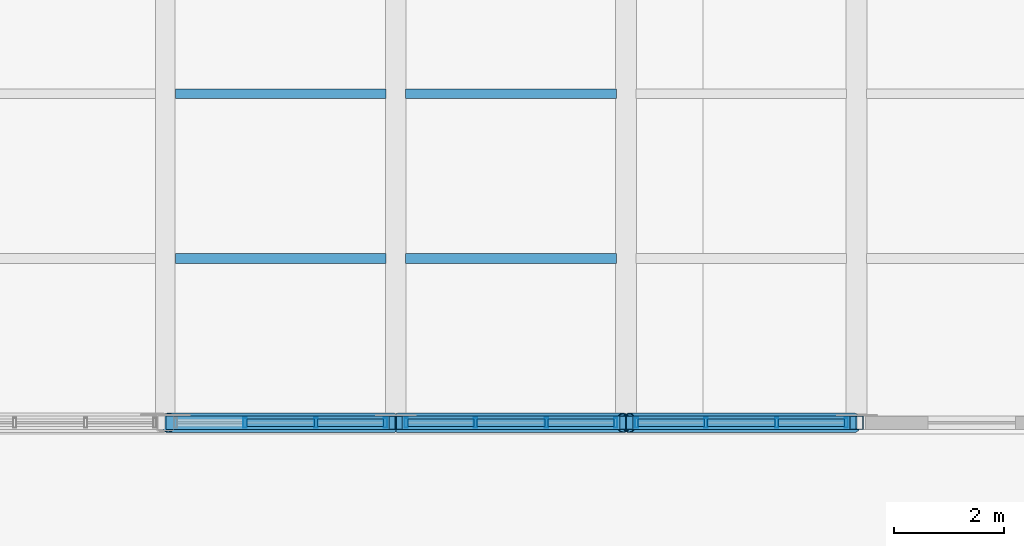
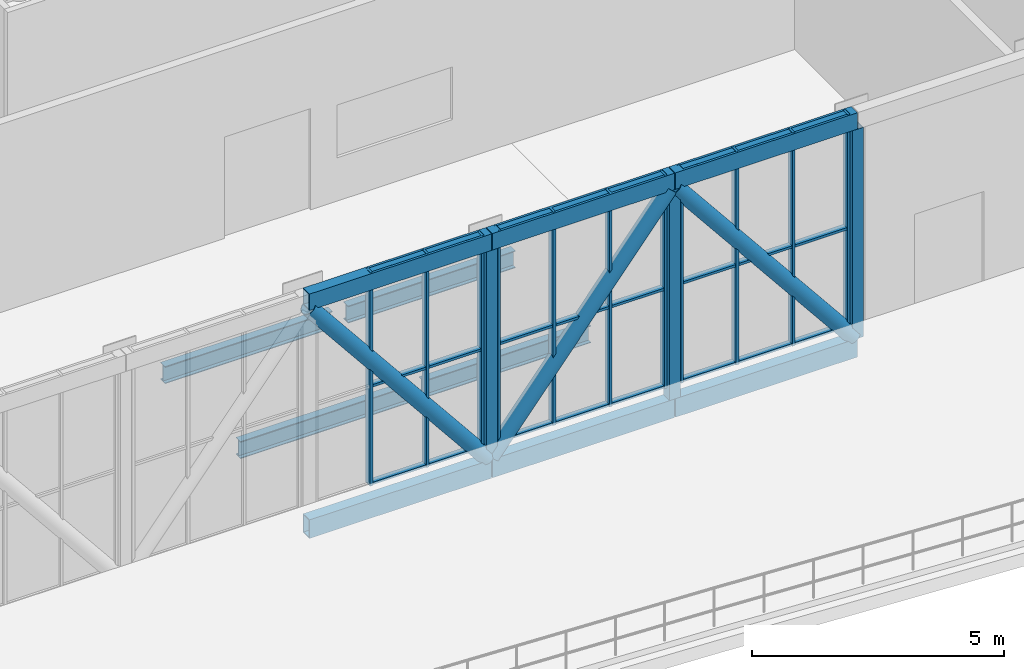
# One storey, part 26 of 58: 47 members, 4 beams, 3 elements without a shape of their own.
"""IFC4 building model written with IfcOpenShell, lengths in metres."""

from ifc_helpers import new_model, si_unit, direction, frame, origin, origin_2d, place, context, subcontext, project, spatial, hollow_rectangle, hollow_circle, i_section, extrude, material, material_profile, profile_set, type_object, element, aggregate, save


model = new_model("IFC4")

# Units and contexts
model_context = context("Model", 3, precision=1e-05, world=origin(), true_north=direction((0.0, 1.0)))
body_context = subcontext(model_context, "Body", "Model", "MODEL_VIEW")
ifc_project = project(units=[si_unit("LENGTHUNIT", "METRE"), si_unit("AREAUNIT", "SQUARE_METRE"), si_unit("VOLUMEUNIT", "CUBIC_METRE"), si_unit("PLANEANGLEUNIT", "RADIAN"), si_unit("MASSUNIT", "GRAM", prefix="KILO")], contexts=[model_context])

# Site, building, storey
site_placement = place(None, origin())
site = spatial("IfcSite", under=ifc_project, at=site_placement, CompositionType="ELEMENT")
building_placement = place(site_placement, origin())
building = spatial("IfcBuilding", under=site, at=building_placement, Name="Khurvash Pelagic Aquarium", CompositionType="ELEMENT")
storey_placement = place(building_placement, frame((0.0, 0.0, 24.60009765625)))
storey = spatial("IfcBuildingStorey", under=building, at=storey_placement, Name="L05", CompositionType="ELEMENT", Elevation=24.60009765625)

# Curtain wall, members
ifc_material_1 = material(Name="Anodised aluminium and low-E laminated glass", Category="aluminium")
curtain_wall_type = type_object("IfcCurtainWallType", Name="CW-01", PredefinedType="USERDEFINED", material=ifc_material_1)
curtain_wall_1_placement = place(storey_placement, origin())
curtain_wall_1 = element("IfcCurtainWall", 1, at=curtain_wall_1_placement, inside=storey, type_object=curtain_wall_type, Name="L05 South Sky-Bar Unitised Curtain Wall CW-01 P16", ObjectType="UNITISED CURTAIN WALL", PredefinedType="USERDEFINED")
ifc_material_2 = material(Name="Extruded aluminium AW-6063-T6", Category="aluminium")
ifc_material_profile_1 = material_profile(ifc_material_2, hollow_rectangle(XDim=0.06005859375, YDim=0.179931640625, WallThickness=0.00390625, at=origin_2d()), Name="CWM60X180X4")
ifc_profile_set_1 = profile_set([ifc_material_profile_1], Name="Extruded aluminium AW-6063-T6")
member_type_1 = type_object("IfcMemberType", Name="CM-01", PredefinedType="MULLION", material=ifc_profile_set_1)
member_1_placement = place(storey_placement, frame((77.05322265625, 11.64990234375, 0.0), z_axis=(0.0, 0.0, 1.0), x_axis=(1.0, 0.0, 0.0)))
member_1 = element("IfcMember", 2, at=member_1_placement, type_object=member_type_1, Name="CW-01 mullion 2", PredefinedType="MULLION", context=body_context, shape_type="SweptSolid", body=[
    extrude(hollow_rectangle(XDim=0.06005859375, YDim=0.179931640625, WallThickness=0.00390625, at=origin_2d()), origin(), (0.0, 0.0, 1.0), 5.179931640625),
])
member_2_placement = place(storey_placement, frame((78.3466796875, 11.64990234375, 0.0), z_axis=(0.0, 0.0, 1.0), x_axis=(1.0, 0.0, 0.0)))
member_2 = element("IfcMember", 3, at=member_2_placement, type_object=member_type_1, Name="CW-01 mullion 3", PredefinedType="MULLION", context=body_context, shape_type="SweptSolid", body=[
    extrude(hollow_rectangle(XDim=0.06005859375, YDim=0.179931640625, WallThickness=0.00390625, at=origin_2d()), origin(), (0.0, 0.0, 1.0), 5.179931640625),
])
member_3_placement = place(storey_placement, frame((79.610107421875, 11.64990234375, 0.0), z_axis=(0.0, 0.0, 1.0), x_axis=(1.0, 0.0, 0.0)))
member_3 = element("IfcMember", 4, at=member_3_placement, type_object=member_type_1, Name="CW-01 mullion 4", PredefinedType="MULLION", context=body_context, shape_type="SweptSolid", body=[
    extrude(hollow_rectangle(XDim=0.06005859375, YDim=0.179931640625, WallThickness=0.00390625, at=origin_2d()), origin(), (0.0, 0.0, 1.0), 5.179931640625),
])

curtain_wall_2_placement = place(storey_placement, origin())
curtain_wall_2 = element("IfcCurtainWall", 5, at=curtain_wall_2_placement, inside=storey, type_object=curtain_wall_type, Name="L05 South Sky-Bar Unitised Curtain Wall CW-01 P17", ObjectType="UNITISED CURTAIN WALL", PredefinedType="USERDEFINED")
member_4_placement = place(storey_placement, frame((79.989990234375, 11.64990234375, 0.0), z_axis=(0.0, 0.0, 1.0), x_axis=(1.0, 0.0, 0.0)))
member_4 = element("IfcMember", 6, at=member_4_placement, type_object=member_type_1, Name="CW-01 mullion 1", PredefinedType="MULLION", context=body_context, shape_type="SweptSolid", body=[
    extrude(hollow_rectangle(XDim=0.06005859375, YDim=0.179931640625, WallThickness=0.00390625, at=origin_2d()), origin(), (0.0, 0.0, 1.0), 5.179931640625),
])
member_5_placement = place(storey_placement, frame((81.25341796875, 11.64990234375, 0.0), z_axis=(0.0, 0.0, 1.0), x_axis=(1.0, 0.0, 0.0)))
member_5 = element("IfcMember", 7, at=member_5_placement, type_object=member_type_1, Name="CW-01 mullion 2", PredefinedType="MULLION", context=body_context, shape_type="SweptSolid", body=[
    extrude(hollow_rectangle(XDim=0.06005859375, YDim=0.179931640625, WallThickness=0.00390625, at=origin_2d()), origin(), (0.0, 0.0, 1.0), 5.179931640625),
])
member_6_placement = place(storey_placement, frame((82.546630859375, 11.64990234375, 0.0), z_axis=(0.0, 0.0, 1.0), x_axis=(1.0, 0.0, 0.0)))
member_6 = element("IfcMember", 8, at=member_6_placement, type_object=member_type_1, Name="CW-01 mullion 3", PredefinedType="MULLION", context=body_context, shape_type="SweptSolid", body=[
    extrude(hollow_rectangle(XDim=0.06005859375, YDim=0.179931640625, WallThickness=0.00390625, at=origin_2d()), origin(), (0.0, 0.0, 1.0), 5.179931640625),
])
member_7_placement = place(storey_placement, frame((83.81005859375, 11.64990234375, 0.0), z_axis=(0.0, 0.0, 1.0), x_axis=(1.0, 0.0, 0.0)))
member_7 = element("IfcMember", 9, at=member_7_placement, type_object=member_type_1, Name="CW-01 mullion 4", PredefinedType="MULLION", context=body_context, shape_type="SweptSolid", body=[
    extrude(hollow_rectangle(XDim=0.06005859375, YDim=0.179931640625, WallThickness=0.00390625, at=origin_2d()), origin(), (0.0, 0.0, 1.0), 5.179931640625),
])

curtain_wall_3_placement = place(storey_placement, origin())
curtain_wall_3 = element("IfcCurtainWall", 10, at=curtain_wall_3_placement, inside=storey, type_object=curtain_wall_type, Name="L05 South Sky-Bar Unitised Curtain Wall CW-01 P18", ObjectType="UNITISED CURTAIN WALL", PredefinedType="USERDEFINED")
member_8_placement = place(storey_placement, frame((84.18994140625, 11.64990234375, 0.0), z_axis=(0.0, 0.0, 1.0), x_axis=(1.0, 0.0, 0.0)))
member_8 = element("IfcMember", 11, at=member_8_placement, type_object=member_type_1, Name="CW-01 mullion 1", PredefinedType="MULLION", context=body_context, shape_type="SweptSolid", body=[
    extrude(hollow_rectangle(XDim=0.06005859375, YDim=0.179931640625, WallThickness=0.00390625, at=origin_2d()), origin(), (0.0, 0.0, 1.0), 5.179931640625),
])
member_9_placement = place(storey_placement, frame((85.453369140625, 11.64990234375, 0.0), z_axis=(0.0, 0.0, 1.0), x_axis=(1.0, 0.0, 0.0)))
member_9 = element("IfcMember", 12, at=member_9_placement, type_object=member_type_1, Name="CW-01 mullion 2", PredefinedType="MULLION", context=body_context, shape_type="SweptSolid", body=[
    extrude(hollow_rectangle(XDim=0.06005859375, YDim=0.179931640625, WallThickness=0.00390625, at=origin_2d()), origin(), (0.0, 0.0, 1.0), 5.179931640625),
])
member_10_placement = place(storey_placement, frame((86.74658203125, 11.64990234375, 0.0), z_axis=(0.0, 0.0, 1.0), x_axis=(1.0, 0.0, 0.0)))
member_10 = element("IfcMember", 13, at=member_10_placement, type_object=member_type_1, Name="CW-01 mullion 3", PredefinedType="MULLION", context=body_context, shape_type="SweptSolid", body=[
    extrude(hollow_rectangle(XDim=0.06005859375, YDim=0.179931640625, WallThickness=0.00390625, at=origin_2d()), origin(), (0.0, 0.0, 1.0), 5.179931640625),
])
member_11_placement = place(storey_placement, frame((88.010009765625, 11.64990234375, 0.0), z_axis=(0.0, 0.0, 1.0), x_axis=(1.0, 0.0, 0.0)))
member_11 = element("IfcMember", 14, at=member_11_placement, type_object=member_type_1, Name="CW-01 mullion 4", PredefinedType="MULLION", context=body_context, shape_type="SweptSolid", body=[
    extrude(hollow_rectangle(XDim=0.06005859375, YDim=0.179931640625, WallThickness=0.00390625, at=origin_2d()), origin(), (0.0, 0.0, 1.0), 5.179931640625),
])

# Member
ifc_material_profile_2 = material_profile(ifc_material_2, hollow_rectangle(XDim=0.139892578125, YDim=0.06005859375, WallThickness=0.00390625, at=origin_2d()), Name="CWT140X60X4")
ifc_profile_set_2 = profile_set([ifc_material_profile_2], Name="Extruded aluminium AW-6063-T6")
member_type_2 = type_object("IfcMemberType", Name="CT-01", PredefinedType="USERDEFINED", material=ifc_profile_set_2)
member_12_placement = place(storey_placement, frame((77.083251953125, 11.64990234375, 0.02978515625), z_axis=(1.0, 0.0, 0.0), x_axis=(0.0, 1.0, 0.0)))
member_12 = element("IfcMember", 15, at=member_12_placement, type_object=member_type_2, Name="CW-01 transom 2.1", ObjectType="TRANSOM", PredefinedType="USERDEFINED", context=body_context, shape_type="SweptSolid", body=[
    extrude(hollow_rectangle(XDim=0.139892578125, YDim=0.06005859375, WallThickness=0.00390625, at=origin_2d()), origin(), (0.0, 0.0, 1.0), 1.2333984375),
])

member_13_placement = place(storey_placement, frame((77.083251953125, 11.64990234375, 2.39990234375), z_axis=(1.0, 0.0, 0.0), x_axis=(0.0, 1.0, 0.0)))
member_13 = element("IfcMember", 16, at=member_13_placement, type_object=member_type_2, Name="CW-01 transom 2.2", ObjectType="TRANSOM", PredefinedType="USERDEFINED", context=body_context, shape_type="SweptSolid", body=[
    extrude(hollow_rectangle(XDim=0.139892578125, YDim=0.06005859375, WallThickness=0.00390625, at=origin_2d()), origin(), (0.0, 0.0, 1.0), 1.2333984375),
])

member_14_placement = place(storey_placement, frame((77.083251953125, 11.64990234375, 5.14990234375), z_axis=(1.0, 0.0, 0.0), x_axis=(0.0, 1.0, 0.0)))
member_14 = element("IfcMember", 17, at=member_14_placement, type_object=member_type_2, Name="CW-01 transom 2.3", ObjectType="TRANSOM", PredefinedType="USERDEFINED", context=body_context, shape_type="SweptSolid", body=[
    extrude(hollow_rectangle(XDim=0.139892578125, YDim=0.06005859375, WallThickness=0.00390625, at=origin_2d()), origin(), (0.0, 0.0, 1.0), 1.2333984375),
])

member_15_placement = place(storey_placement, frame((78.376708984375, 11.64990234375, 0.02978515625), z_axis=(1.0, 0.0, 0.0), x_axis=(0.0, 1.0, 0.0)))
member_15 = element("IfcMember", 18, at=member_15_placement, type_object=member_type_2, Name="CW-01 transom 3.1", ObjectType="TRANSOM", PredefinedType="USERDEFINED", context=body_context, shape_type="SweptSolid", body=[
    extrude(hollow_rectangle(XDim=0.139892578125, YDim=0.06005859375, WallThickness=0.00390625, at=origin_2d()), origin(), (0.0, 0.0, 1.0), 1.203369140625),
])

member_16_placement = place(storey_placement, frame((78.376708984375, 11.64990234375, 2.39990234375), z_axis=(1.0, 0.0, 0.0), x_axis=(0.0, 1.0, 0.0)))
member_16 = element("IfcMember", 19, at=member_16_placement, type_object=member_type_2, Name="CW-01 transom 3.2", ObjectType="TRANSOM", PredefinedType="USERDEFINED", context=body_context, shape_type="SweptSolid", body=[
    extrude(hollow_rectangle(XDim=0.139892578125, YDim=0.06005859375, WallThickness=0.00390625, at=origin_2d()), origin(), (0.0, 0.0, 1.0), 1.203369140625),
])

member_17_placement = place(storey_placement, frame((78.376708984375, 11.64990234375, 5.14990234375), z_axis=(1.0, 0.0, 0.0), x_axis=(0.0, 1.0, 0.0)))
member_17 = element("IfcMember", 20, at=member_17_placement, type_object=member_type_2, Name="CW-01 transom 3.3", ObjectType="TRANSOM", PredefinedType="USERDEFINED", context=body_context, shape_type="SweptSolid", body=[
    extrude(hollow_rectangle(XDim=0.139892578125, YDim=0.06005859375, WallThickness=0.00390625, at=origin_2d()), origin(), (0.0, 0.0, 1.0), 1.203369140625),
])

aggregate(curtain_wall_1, [member_1, member_2, member_3, member_12, member_13, member_14, member_15, member_16, member_17])

member_18_placement = place(storey_placement, frame((80.02001953125, 11.64990234375, 0.02978515625), z_axis=(1.0, 0.0, 0.0), x_axis=(0.0, 1.0, 0.0)))
member_18 = element("IfcMember", 21, at=member_18_placement, type_object=member_type_2, Name="CW-01 transom 1.1", ObjectType="TRANSOM", PredefinedType="USERDEFINED", context=body_context, shape_type="SweptSolid", body=[
    extrude(hollow_rectangle(XDim=0.139892578125, YDim=0.06005859375, WallThickness=0.00390625, at=origin_2d()), origin(), (0.0, 0.0, 1.0), 1.203369140625),
])

member_19_placement = place(storey_placement, frame((80.02001953125, 11.64990234375, 2.39990234375), z_axis=(1.0, 0.0, 0.0), x_axis=(0.0, 1.0, 0.0)))
member_19 = element("IfcMember", 22, at=member_19_placement, type_object=member_type_2, Name="CW-01 transom 1.2", ObjectType="TRANSOM", PredefinedType="USERDEFINED", context=body_context, shape_type="SweptSolid", body=[
    extrude(hollow_rectangle(XDim=0.139892578125, YDim=0.06005859375, WallThickness=0.00390625, at=origin_2d()), origin(), (0.0, 0.0, 1.0), 1.203369140625),
])

member_20_placement = place(storey_placement, frame((80.02001953125, 11.64990234375, 5.14990234375), z_axis=(1.0, 0.0, 0.0), x_axis=(0.0, 1.0, 0.0)))
member_20 = element("IfcMember", 23, at=member_20_placement, type_object=member_type_2, Name="CW-01 transom 1.3", ObjectType="TRANSOM", PredefinedType="USERDEFINED", context=body_context, shape_type="SweptSolid", body=[
    extrude(hollow_rectangle(XDim=0.139892578125, YDim=0.06005859375, WallThickness=0.00390625, at=origin_2d()), origin(), (0.0, 0.0, 1.0), 1.203369140625),
])

member_21_placement = place(storey_placement, frame((81.283447265625, 11.64990234375, 0.02978515625), z_axis=(1.0, 0.0, 0.0), x_axis=(0.0, 1.0, 0.0)))
member_21 = element("IfcMember", 24, at=member_21_placement, type_object=member_type_2, Name="CW-01 transom 2.1", ObjectType="TRANSOM", PredefinedType="USERDEFINED", context=body_context, shape_type="SweptSolid", body=[
    extrude(hollow_rectangle(XDim=0.139892578125, YDim=0.06005859375, WallThickness=0.00390625, at=origin_2d()), origin(), (0.0, 0.0, 1.0), 1.233154296875),
])

member_22_placement = place(storey_placement, frame((81.283447265625, 11.64990234375, 2.39990234375), z_axis=(1.0, 0.0, 0.0), x_axis=(0.0, 1.0, 0.0)))
member_22 = element("IfcMember", 25, at=member_22_placement, type_object=member_type_2, Name="CW-01 transom 2.2", ObjectType="TRANSOM", PredefinedType="USERDEFINED", context=body_context, shape_type="SweptSolid", body=[
    extrude(hollow_rectangle(XDim=0.139892578125, YDim=0.06005859375, WallThickness=0.00390625, at=origin_2d()), origin(), (0.0, 0.0, 1.0), 1.233154296875),
])

member_23_placement = place(storey_placement, frame((81.283447265625, 11.64990234375, 5.14990234375), z_axis=(1.0, 0.0, 0.0), x_axis=(0.0, 1.0, 0.0)))
member_23 = element("IfcMember", 26, at=member_23_placement, type_object=member_type_2, Name="CW-01 transom 2.3", ObjectType="TRANSOM", PredefinedType="USERDEFINED", context=body_context, shape_type="SweptSolid", body=[
    extrude(hollow_rectangle(XDim=0.139892578125, YDim=0.06005859375, WallThickness=0.00390625, at=origin_2d()), origin(), (0.0, 0.0, 1.0), 1.233154296875),
])

member_24_placement = place(storey_placement, frame((82.57666015625, 11.64990234375, 0.02978515625), z_axis=(1.0, 0.0, 0.0), x_axis=(0.0, 1.0, 0.0)))
member_24 = element("IfcMember", 27, at=member_24_placement, type_object=member_type_2, Name="CW-01 transom 3.1", ObjectType="TRANSOM", PredefinedType="USERDEFINED", context=body_context, shape_type="SweptSolid", body=[
    extrude(hollow_rectangle(XDim=0.139892578125, YDim=0.06005859375, WallThickness=0.00390625, at=origin_2d()), origin(), (0.0, 0.0, 1.0), 1.203369140625),
])

member_25_placement = place(storey_placement, frame((82.57666015625, 11.64990234375, 2.39990234375), z_axis=(1.0, 0.0, 0.0), x_axis=(0.0, 1.0, 0.0)))
member_25 = element("IfcMember", 28, at=member_25_placement, type_object=member_type_2, Name="CW-01 transom 3.2", ObjectType="TRANSOM", PredefinedType="USERDEFINED", context=body_context, shape_type="SweptSolid", body=[
    extrude(hollow_rectangle(XDim=0.139892578125, YDim=0.06005859375, WallThickness=0.00390625, at=origin_2d()), origin(), (0.0, 0.0, 1.0), 1.203369140625),
])

member_26_placement = place(storey_placement, frame((82.57666015625, 11.64990234375, 5.14990234375), z_axis=(1.0, 0.0, 0.0), x_axis=(0.0, 1.0, 0.0)))
member_26 = element("IfcMember", 29, at=member_26_placement, type_object=member_type_2, Name="CW-01 transom 3.3", ObjectType="TRANSOM", PredefinedType="USERDEFINED", context=body_context, shape_type="SweptSolid", body=[
    extrude(hollow_rectangle(XDim=0.139892578125, YDim=0.06005859375, WallThickness=0.00390625, at=origin_2d()), origin(), (0.0, 0.0, 1.0), 1.203369140625),
])

aggregate(curtain_wall_2, [member_4, member_5, member_6, member_7, member_18, member_19, member_20, member_21, member_22, member_23, member_24, member_25, member_26])

member_27_placement = place(storey_placement, frame((84.219970703125, 11.64990234375, 0.02978515625), z_axis=(1.0, 0.0, 0.0), x_axis=(0.0, 1.0, 0.0)))
member_27 = element("IfcMember", 30, at=member_27_placement, type_object=member_type_2, Name="CW-01 transom 1.1", ObjectType="TRANSOM", PredefinedType="USERDEFINED", context=body_context, shape_type="SweptSolid", body=[
    extrude(hollow_rectangle(XDim=0.139892578125, YDim=0.06005859375, WallThickness=0.00390625, at=origin_2d()), origin(), (0.0, 0.0, 1.0), 1.203369140625),
])

member_28_placement = place(storey_placement, frame((84.219970703125, 11.64990234375, 2.39990234375), z_axis=(1.0, 0.0, 0.0), x_axis=(0.0, 1.0, 0.0)))
member_28 = element("IfcMember", 31, at=member_28_placement, type_object=member_type_2, Name="CW-01 transom 1.2", ObjectType="TRANSOM", PredefinedType="USERDEFINED", context=body_context, shape_type="SweptSolid", body=[
    extrude(hollow_rectangle(XDim=0.139892578125, YDim=0.06005859375, WallThickness=0.00390625, at=origin_2d()), origin(), (0.0, 0.0, 1.0), 1.203369140625),
])

member_29_placement = place(storey_placement, frame((84.219970703125, 11.64990234375, 5.14990234375), z_axis=(1.0, 0.0, 0.0), x_axis=(0.0, 1.0, 0.0)))
member_29 = element("IfcMember", 32, at=member_29_placement, type_object=member_type_2, Name="CW-01 transom 1.3", ObjectType="TRANSOM", PredefinedType="USERDEFINED", context=body_context, shape_type="SweptSolid", body=[
    extrude(hollow_rectangle(XDim=0.139892578125, YDim=0.06005859375, WallThickness=0.00390625, at=origin_2d()), origin(), (0.0, 0.0, 1.0), 1.203369140625),
])

member_30_placement = place(storey_placement, frame((85.4833984375, 11.64990234375, 0.02978515625), z_axis=(1.0, 0.0, 0.0), x_axis=(0.0, 1.0, 0.0)))
member_30 = element("IfcMember", 33, at=member_30_placement, type_object=member_type_2, Name="CW-01 transom 2.1", ObjectType="TRANSOM", PredefinedType="USERDEFINED", context=body_context, shape_type="SweptSolid", body=[
    extrude(hollow_rectangle(XDim=0.139892578125, YDim=0.06005859375, WallThickness=0.00390625, at=origin_2d()), origin(), (0.0, 0.0, 1.0), 1.233154296875),
])

member_31_placement = place(storey_placement, frame((85.4833984375, 11.64990234375, 2.39990234375), z_axis=(1.0, 0.0, 0.0), x_axis=(0.0, 1.0, 0.0)))
member_31 = element("IfcMember", 34, at=member_31_placement, type_object=member_type_2, Name="CW-01 transom 2.2", ObjectType="TRANSOM", PredefinedType="USERDEFINED", context=body_context, shape_type="SweptSolid", body=[
    extrude(hollow_rectangle(XDim=0.139892578125, YDim=0.06005859375, WallThickness=0.00390625, at=origin_2d()), origin(), (0.0, 0.0, 1.0), 1.233154296875),
])

member_32_placement = place(storey_placement, frame((85.4833984375, 11.64990234375, 5.14990234375), z_axis=(1.0, 0.0, 0.0), x_axis=(0.0, 1.0, 0.0)))
member_32 = element("IfcMember", 35, at=member_32_placement, type_object=member_type_2, Name="CW-01 transom 2.3", ObjectType="TRANSOM", PredefinedType="USERDEFINED", context=body_context, shape_type="SweptSolid", body=[
    extrude(hollow_rectangle(XDim=0.139892578125, YDim=0.06005859375, WallThickness=0.00390625, at=origin_2d()), origin(), (0.0, 0.0, 1.0), 1.233154296875),
])

member_33_placement = place(storey_placement, frame((86.776611328125, 11.64990234375, 0.02978515625), z_axis=(1.0, 0.0, 0.0), x_axis=(0.0, 1.0, 0.0)))
member_33 = element("IfcMember", 36, at=member_33_placement, type_object=member_type_2, Name="CW-01 transom 3.1", ObjectType="TRANSOM", PredefinedType="USERDEFINED", context=body_context, shape_type="SweptSolid", body=[
    extrude(hollow_rectangle(XDim=0.139892578125, YDim=0.06005859375, WallThickness=0.00390625, at=origin_2d()), origin(), (0.0, 0.0, 1.0), 1.203369140625),
])

member_34_placement = place(storey_placement, frame((86.776611328125, 11.64990234375, 2.39990234375), z_axis=(1.0, 0.0, 0.0), x_axis=(0.0, 1.0, 0.0)))
member_34 = element("IfcMember", 37, at=member_34_placement, type_object=member_type_2, Name="CW-01 transom 3.2", ObjectType="TRANSOM", PredefinedType="USERDEFINED", context=body_context, shape_type="SweptSolid", body=[
    extrude(hollow_rectangle(XDim=0.139892578125, YDim=0.06005859375, WallThickness=0.00390625, at=origin_2d()), origin(), (0.0, 0.0, 1.0), 1.203369140625),
])

member_35_placement = place(storey_placement, frame((86.776611328125, 11.64990234375, 5.14990234375), z_axis=(1.0, 0.0, 0.0), x_axis=(0.0, 1.0, 0.0)))
member_35 = element("IfcMember", 38, at=member_35_placement, type_object=member_type_2, Name="CW-01 transom 3.3", ObjectType="TRANSOM", PredefinedType="USERDEFINED", context=body_context, shape_type="SweptSolid", body=[
    extrude(hollow_rectangle(XDim=0.139892578125, YDim=0.06005859375, WallThickness=0.00390625, at=origin_2d()), origin(), (0.0, 0.0, 1.0), 1.203369140625),
])

aggregate(curtain_wall_3, [member_8, member_9, member_10, member_11, member_27, member_28, member_29, member_30, member_31, member_32, member_33, member_34, member_35])

# Beams
ifc_material_3 = material(Name="Steel ASTM A992 Grade 50", Category="steel")
ifc_material_profile_3 = material_profile(ifc_material_3, i_section(OverallWidth=0.180908203125, OverallDepth=0.4169921875, WebThickness=0.010986328125, FlangeThickness=0.018310546875, at=origin_2d()), Name="W16X57")
ifc_profile_set_3 = profile_set([ifc_material_profile_3], Name="Steel ASTM A992 Grade 50")
beam_type = type_object("IfcBeamType", Name="JS-03", PredefinedType="JOIST", material=ifc_profile_set_3)
for number, where, z_axis, x_axis, name in (
    (39, (75.780029296875, 14.64990234375, -0.508544921875), (1.0, 0.0, 0.0), (0.0, 1.0, 0.0), "L05 Sky-Bar Floor Joist JS-03 P16"),
    (40, (75.780029296875, 17.64990234375, -0.508544921875), (1.0, 0.0, 0.0), (0.0, 1.0, 0.0), "L05 Sky-Bar Floor Joist JS-03 P16"),
    (41, (79.97998046875, 14.64990234375, -0.508544921875), (1.0, 0.0, 0.0), (0.0, 1.0, 0.0), "L05 Sky-Bar Floor Joist JS-03 P17"),
    (42, (79.97998046875, 17.64990234375, -0.508544921875), (1.0, 0.0, 0.0), (0.0, 1.0, 0.0), "L05 Sky-Bar Floor Joist JS-03 P17"),
):
    element("IfcBeam", number, at=place(storey_placement, frame(where, z_axis=z_axis, x_axis=x_axis)), inside=storey, type_object=beam_type, Name=name, PredefinedType="JOIST", context=body_context, shape_type="SweptSolid", body=[
        extrude(i_section(OverallWidth=0.180908203125, OverallDepth=0.4169921875, WebThickness=0.010986328125, FlangeThickness=0.018310546875, at=origin_2d()), origin(), (0.0, 0.0, 1.0), 3.840087890625),
    ])

# Members
ifc_material_4 = material(Name="Steel S355J2", Category="steel")
ifc_material_profile_4 = material_profile(ifc_material_4, hollow_rectangle(XDim=0.25, YDim=0.449951171875, WallThickness=0.02001953125, at=origin_2d()), Name="RHS450X250X20")
ifc_profile_set_4 = profile_set([ifc_material_profile_4], Name="Steel S355J2")
member_type_3 = type_object("IfcMemberType", Name="TC-01", PredefinedType="CHORD", material=ifc_profile_set_4)
for number, where, z_axis, x_axis, name in (
    (43, (75.610107421875, 11.64990234375, -0.525146484375), (1.0, 0.0, 0.0), (0.0, 1.0, 0.0), "L05 South Sky-Bar Warren Truss Bottom Chord TC-01 P16"),
    (44, (79.81005859375, 11.64990234375, -0.525146484375), (1.0, 0.0, 0.0), (0.0, 1.0, 0.0), "L05 South Sky-Bar Warren Truss Bottom Chord TC-01 P17"),
    (45, (84.010009765625, 11.64990234375, -0.525146484375), (1.0, 0.0, 0.0), (0.0, 1.0, 0.0), "L05 South Sky-Bar Warren Truss Bottom Chord TC-01 P18"),
):
    element("IfcMember", number, at=place(storey_placement, frame(where, z_axis=z_axis, x_axis=x_axis)), inside=storey, type_object=member_type_3, Name=name, PredefinedType="CHORD", context=body_context, shape_type="SweptSolid", body=[
        extrude(hollow_rectangle(XDim=0.25, YDim=0.449951171875, WallThickness=0.02001953125, at=origin_2d()), origin(), (0.0, 0.0, 1.0), 4.179931640625),
    ])
ifc_material_profile_5 = material_profile(ifc_material_4, hollow_rectangle(XDim=0.25, YDim=0.39990234375, WallThickness=0.01611328125, at=origin_2d()), Name="RHS400X250X16")
ifc_profile_set_5 = profile_set([ifc_material_profile_5], Name="Steel S355J2")
member_type_4 = type_object("IfcMemberType", Name="TC-02", PredefinedType="CHORD", material=ifc_profile_set_5)
for number, where, z_axis, x_axis, name in (
    (46, (75.610107421875, 11.64990234375, 4.97998046875), (1.0, 0.0, 0.0), (0.0, 1.0, 0.0), "L05 South Sky-Bar Warren Truss Top Chord TC-02 P16"),
    (47, (79.81005859375, 11.64990234375, 4.97998046875), (1.0, 0.0, 0.0), (0.0, 1.0, 0.0), "L05 South Sky-Bar Warren Truss Top Chord TC-02 P17"),
    (48, (84.010009765625, 11.64990234375, 4.97998046875), (1.0, 0.0, 0.0), (0.0, 1.0, 0.0), "L05 South Sky-Bar Warren Truss Top Chord TC-02 P18"),
):
    element("IfcMember", number, at=place(storey_placement, frame(where, z_axis=z_axis, x_axis=x_axis)), inside=storey, type_object=member_type_4, Name=name, PredefinedType="CHORD", context=body_context, shape_type="SweptSolid", body=[
        extrude(hollow_rectangle(XDim=0.25, YDim=0.39990234375, WallThickness=0.01611328125, at=origin_2d()), origin(), (0.0, 0.0, 1.0), 4.179931640625),
    ])
ifc_material_profile_6 = material_profile(ifc_material_4, hollow_circle(Radius=0.177734375, WallThickness=0.01416015625, at=origin_2d()), Name="CHS355X14")
ifc_profile_set_6 = profile_set([ifc_material_profile_6], Name="Steel S355J2")
member_type_5 = type_object("IfcMemberType", Name="TD-02", PredefinedType="BRACE", material=ifc_profile_set_6)
member_36_placement = place(storey_placement, frame((75.64990234375, 11.64990234375, 4.77978515625), z_axis=(0.628073304864, 0.0, -0.778154177343), x_axis=(0.0, 1.0, 0.0)))
element("IfcMember", 49, at=member_36_placement, inside=storey, type_object=member_type_5, Name="L05 South Sky-Bar Warren Truss Diagonal TD-02 P16", PredefinedType="BRACE", context=body_context, shape_type="SweptSolid", body=[
    extrude(hollow_circle(Radius=0.177734375, WallThickness=0.01416015625, at=origin_2d()), origin(), (0.0, 0.0, 1.0), 6.528076171875),
])
for number, where, z_axis, x_axis, name in (
    (50, (79.85009765625, 11.64990234375, -0.300048828125), (0.628050658275, 0.0, 0.778172455591), (0.0, 1.0, 0.0), "L05 South Sky-Bar Warren Truss Diagonal TD-02 P17"),
    (51, (84.050048828125, 11.64990234375, 4.77978515625), (0.628050658275, 0.0, -0.778172455591), (0.0, 1.0, 0.0), "L05 South Sky-Bar Warren Truss Diagonal TD-02 P18"),
):
    element("IfcMember", number, at=place(storey_placement, frame(where, z_axis=z_axis, x_axis=x_axis)), inside=storey, type_object=member_type_5, Name=name, PredefinedType="BRACE", context=body_context, shape_type="SweptSolid", body=[
        extrude(hollow_circle(Radius=0.177734375, WallThickness=0.01416015625, at=origin_2d()), origin(), (0.0, 0.0, 1.0), 6.52783203125),
    ])
ifc_material_profile_7 = material_profile(ifc_material_4, hollow_rectangle(XDim=0.25, YDim=0.25, WallThickness=0.012451171875, at=origin_2d()), Name="SHS250X250X12")
ifc_profile_set_7 = profile_set([ifc_material_profile_7], Name="Steel S355J2")
member_type_6 = type_object("IfcMemberType", Name="TV-02", PredefinedType="POST", material=ifc_profile_set_7)
for number, where, z_axis, x_axis, name in (
    (52, (79.800048828125, 11.64990234375, -0.300048828125), (0.0, 0.0, 1.0), (1.0, 0.0, 0.0), "L05 South Sky-Bar Truss Post TV-02 N17"),
    (53, (84.0, 11.64990234375, -0.300048828125), (0.0, 0.0, 1.0), (1.0, 0.0, 0.0), "L05 South Sky-Bar Truss Post TV-02 N18"),
    (54, (88.199951171875, 11.64990234375, -0.300048828125), (0.0, 0.0, 1.0), (1.0, 0.0, 0.0), "L05 South Sky-Bar Truss Post TV-02 N19"),
):
    element("IfcMember", number, at=place(storey_placement, frame(where, z_axis=z_axis, x_axis=x_axis)), inside=storey, type_object=member_type_6, Name=name, PredefinedType="POST", context=body_context, shape_type="SweptSolid", body=[
        extrude(hollow_rectangle(XDim=0.25, YDim=0.25, WallThickness=0.012451171875, at=origin_2d()), origin(), (0.0, 0.0, 1.0), 5.079833984375),
    ])

save(model, "model.ifc")
